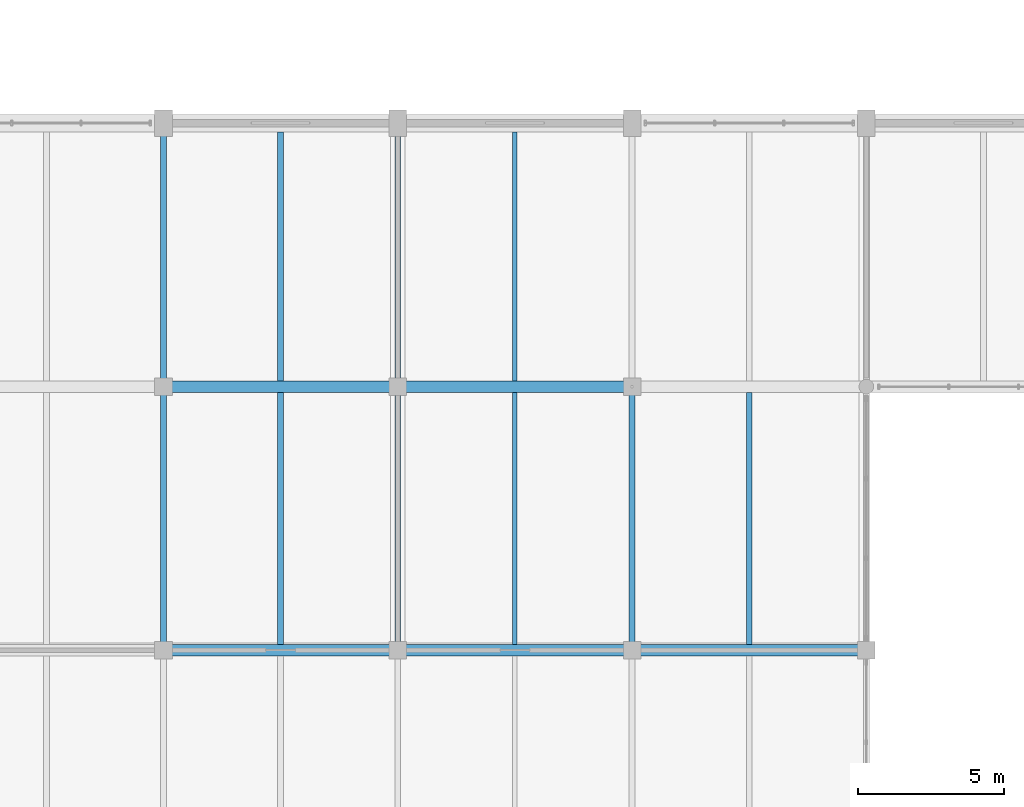
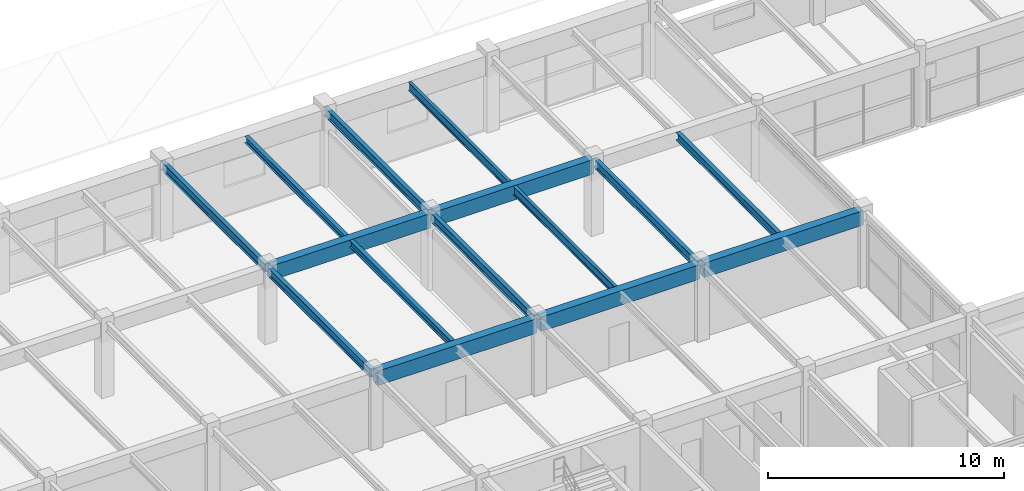
# One storey, part 15 of 126: 15 beams.
"""IFC4 building model written with IfcOpenShell, lengths in metres."""

from ifc_helpers import new_model, si_unit, direction, frame, origin, origin_2d, place, context, subcontext, project, spatial, rectangle, i_section, extrude, material, material_profile, profile_set, type_object, element, save


model = new_model("IFC4")

# Units and contexts
model_context = context("Model", 3, precision=1e-05, world=origin(), true_north=direction((0.0, 1.0)))
body_context = subcontext(model_context, "Body", "Model", "MODEL_VIEW")
ifc_project = project(units=[si_unit("LENGTHUNIT", "METRE"), si_unit("AREAUNIT", "SQUARE_METRE"), si_unit("VOLUMEUNIT", "CUBIC_METRE"), si_unit("PLANEANGLEUNIT", "RADIAN"), si_unit("MASSUNIT", "GRAM", prefix="KILO")], contexts=[model_context])

# Site, building, storey
site_placement = place(None, origin())
site = spatial("IfcSite", under=ifc_project, at=site_placement, CompositionType="ELEMENT")
building_placement = place(site_placement, origin())
building = spatial("IfcBuilding", under=site, at=building_placement, Name="Varnabhumi Central Station", CompositionType="ELEMENT")
storey_placement = place(building_placement, frame((0.0, 0.0, 16.199951171875)))
storey = spatial("IfcBuildingStorey", under=building, at=storey_placement, Name="L03", CompositionType="ELEMENT", Elevation=16.199951171875)

# Beams
ifc_material_1 = material(Name="Structural steel E350", Category="steel")
ifc_material_profile_1 = material_profile(ifc_material_1, i_section(OverallWidth=0.14990234375, OverallDepth=0.449951171875, WebThickness=0.009521484375, FlangeThickness=0.017333984375, FilletRadius=0.014892578125, at=origin_2d()), Name="Structural steel E350", Category="steel")
ifc_profile_set_1 = profile_set([ifc_material_profile_1], Name="Structural steel E350")
beam_type_1 = type_object("IfcBeamType", Name="BM-JST-ISMB450", PredefinedType="JOIST", material=ifc_profile_set_1)
beam_1_placement = place(storey_placement, frame((100.0, 18.199951171875, 3.695068359375), z_axis=(0.0, 1.0, 0.0), x_axis=(-1.0, 0.0, 0.0)))
element("IfcBeam", 1, at=beam_1_placement, inside=storey, type_object=beam_type_1, Name="Secondary Joist L03-13/14:C-D", PredefinedType="JOIST", context=body_context, shape_type="SweptSolid", body=[
    extrude(i_section(OverallWidth=0.14990234375, OverallDepth=0.449951171875, WebThickness=0.009521484375, FlangeThickness=0.017333984375, FilletRadius=0.014892578125, at=origin_2d()), origin(), (0.0, 0.0, 1.0), 8.60009765625),
])
beam_2_placement = place(storey_placement, frame((100.0, 27.199951171875, 3.695068359375), z_axis=(0.0, 1.0, 0.0), x_axis=(-1.0, 0.0, 0.0)))
element("IfcBeam", 2, at=beam_2_placement, inside=storey, type_object=beam_type_1, Name="Secondary Joist L03-13/14:D-E", PredefinedType="JOIST", context=body_context, shape_type="SweptSolid", body=[
    extrude(i_section(OverallWidth=0.14990234375, OverallDepth=0.449951171875, WebThickness=0.009521484375, FlangeThickness=0.017333984375, FilletRadius=0.014892578125, at=origin_2d()), origin(), (0.0, 0.0, 1.0), 8.5),
])
ifc_material_2 = material(Name="Concrete M40", Category="concrete")
ifc_material_profile_2 = material_profile(ifc_material_2, rectangle(XDim=0.39990234375, YDim=0.75, at=origin_2d()), Name="Concrete M40", Category="concrete")
ifc_profile_set_2 = profile_set([ifc_material_profile_2], Name="Concrete M40")
beam_type_2 = type_object("IfcBeamType", Name="BM-RC-400x750", PredefinedType="BEAM", material=ifc_profile_set_2)
for number, where, z_axis, x_axis, name in (
    (3, (88.10009765625, 18.0, 3.545166015625), (1.0, 0.0, 0.0), (0.0, 1.0, 0.0), "Beam L03-C:12-13"),
    (4, (88.10009765625, 27.0, 3.545166015625), (1.0, 0.0, 0.0), (0.0, 1.0, 0.0), "Beam L03-D:12-13"),
    (5, (96.10009765625, 18.0, 3.545166015625), (1.0, 0.0, 0.0), (0.0, 1.0, 0.0), "Beam L03-C:13-14"),
    (6, (96.10009765625, 27.0, 3.545166015625), (1.0, 0.0, 0.0), (0.0, 1.0, 0.0), "Beam L03-D:13-14"),
    (7, (104.10009765625, 18.0, 3.545166015625), (1.0, 0.0, 0.0), (0.0, 1.0, 0.0), "Beam L03-C:14-15"),
):
    element("IfcBeam", number, at=place(storey_placement, frame(where, z_axis=z_axis, x_axis=x_axis)), inside=storey, type_object=beam_type_2, Name=name, PredefinedType="BEAM", context=body_context, shape_type="SweptSolid", body=[
        extrude(rectangle(XDim=0.39990234375, YDim=0.75, at=origin_2d()), origin(), (0.0, 0.0, 1.0), 7.7998046875),
    ])
ifc_material_profile_3 = material_profile(ifc_material_1, i_section(OverallWidth=0.199951171875, OverallDepth=0.39990234375, WebThickness=0.008544921875, FlangeThickness=0.012939453125, FilletRadius=0.012939453125, at=origin_2d()), Name="Structural steel E350", Category="steel")
ifc_profile_set_3 = profile_set([ifc_material_profile_3], Name="Structural steel E350")
beam_type_3 = type_object("IfcBeamType", Name="BM-SEC-ISWB400", PredefinedType="JOIST", material=ifc_profile_set_3)
beam_3_placement = place(storey_placement, frame((108.0, 18.199951171875, 3.719970703125), z_axis=(0.0, 1.0, 0.0), x_axis=(-1.0, 0.0, 0.0)))
element("IfcBeam", 8, at=beam_3_placement, inside=storey, type_object=beam_type_3, Name="Secondary Joist L03-14/15:C-D", PredefinedType="JOIST", context=body_context, shape_type="SweptSolid", body=[
    extrude(i_section(OverallWidth=0.199951171875, OverallDepth=0.39990234375, WebThickness=0.008544921875, FlangeThickness=0.012939453125, FilletRadius=0.012939453125, at=origin_2d()), origin(), (0.0, 0.0, 1.0), 8.60009765625),
])
ifc_material_profile_4 = material_profile(ifc_material_1, i_section(OverallWidth=0.199951171875, OverallDepth=0.35009765625, WebThickness=0.008056640625, FlangeThickness=0.011474609375, FilletRadius=0.011962890625, at=origin_2d()), Name="Structural steel E350", Category="steel")
ifc_profile_set_4 = profile_set([ifc_material_profile_4], Name="Structural steel E350")
beam_type_4 = type_object("IfcBeamType", Name="BM-STL-ISWB350", PredefinedType="JOIST", material=ifc_profile_set_4)
beam_4_placement = place(storey_placement, frame((92.0, 18.199951171875, 3.7451171875), z_axis=(0.0, 1.0, 0.0), x_axis=(-1.0, 0.0, 0.0)))
element("IfcBeam", 9, at=beam_4_placement, inside=storey, type_object=beam_type_4, Name="Secondary Joist L03-12/13:C-D", PredefinedType="JOIST", context=body_context, shape_type="SweptSolid", body=[
    extrude(i_section(OverallWidth=0.199951171875, OverallDepth=0.35009765625, WebThickness=0.008056640625, FlangeThickness=0.011474609375, FilletRadius=0.011962890625, at=origin_2d()), origin(), (0.0, 0.0, 1.0), 8.60009765625),
])
beam_5_placement = place(storey_placement, frame((92.0, 27.199951171875, 3.7451171875), z_axis=(0.0, 1.0, 0.0), x_axis=(-1.0, 0.0, 0.0)))
element("IfcBeam", 10, at=beam_5_placement, inside=storey, type_object=beam_type_4, Name="Secondary Joist L03-12/13:D-E", PredefinedType="JOIST", context=body_context, shape_type="SweptSolid", body=[
    extrude(i_section(OverallWidth=0.199951171875, OverallDepth=0.35009765625, WebThickness=0.008056640625, FlangeThickness=0.011474609375, FilletRadius=0.011962890625, at=origin_2d()), origin(), (0.0, 0.0, 1.0), 8.5),
])
ifc_material_profile_5 = material_profile(ifc_material_1, i_section(OverallWidth=0.199951171875, OverallDepth=0.449951171875, WebThickness=0.00927734375, FlangeThickness=0.015380859375, FilletRadius=0.013916015625, at=origin_2d()), Name="Structural steel E350", Category="steel")
ifc_profile_set_5 = profile_set([ifc_material_profile_5], Name="Structural steel E350")
beam_type_5 = type_object("IfcBeamType", Name="BM-STL-ISWB450", PredefinedType="BEAM", material=ifc_profile_set_5)
for number, where, z_axis, x_axis, name in (
    (11, (88.0, 18.10009765625, 3.695068359375), (0.0, 1.0, 0.0), (-1.0, 0.0, 0.0), "Beam L03-12:C-D"),
    (12, (96.0, 18.10009765625, 3.695068359375), (0.0, 1.0, 0.0), (-1.0, 0.0, 0.0), "Beam L03-13:C-D"),
    (13, (104.0, 18.10009765625, 3.695068359375), (0.0, 1.0, 0.0), (-1.0, 0.0, 0.0), "Beam L03-14:C-D"),
    (14, (88.0, 27.10009765625, 3.695068359375), (0.0, 1.0, 0.0), (-1.0, 0.0, 0.0), "Beam L03-12:D-E"),
    (15, (96.0, 27.10009765625, 3.695068359375), (0.0, 1.0, 0.0), (-1.0, 0.0, 0.0), "Beam L03-13:D-E"),
):
    element("IfcBeam", number, at=place(storey_placement, frame(where, z_axis=z_axis, x_axis=x_axis)), inside=storey, type_object=beam_type_5, Name=name, PredefinedType="BEAM", context=body_context, shape_type="SweptSolid", body=[
        extrude(i_section(OverallWidth=0.199951171875, OverallDepth=0.449951171875, WebThickness=0.00927734375, FlangeThickness=0.015380859375, FilletRadius=0.013916015625, at=origin_2d()), origin(), (0.0, 0.0, 1.0), 8.7998046875),
    ])

save(model, "model.ifc")
